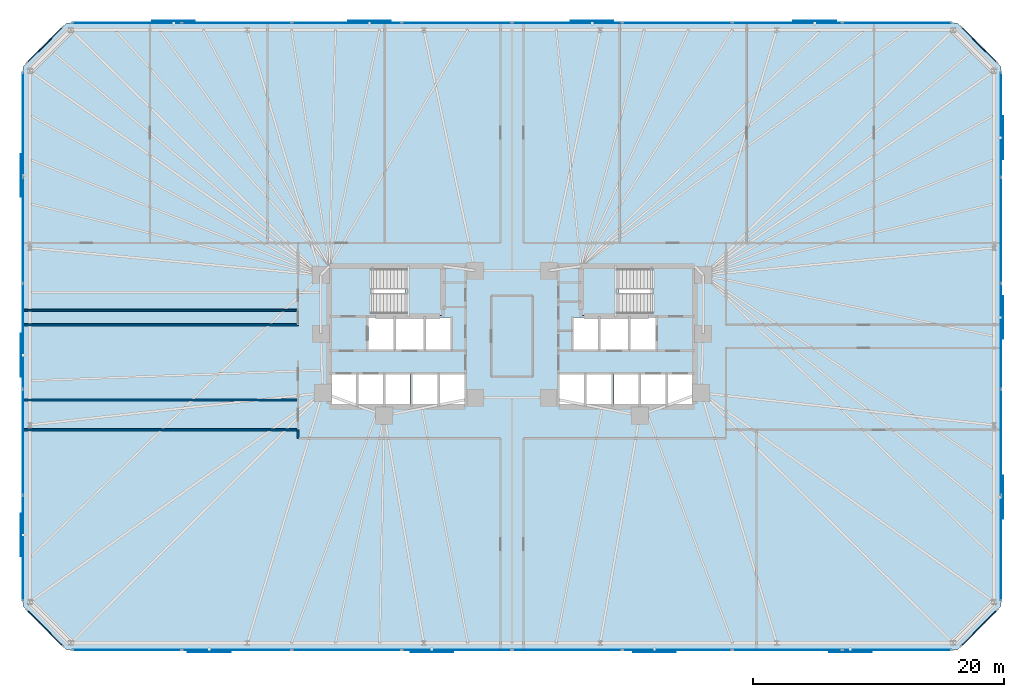
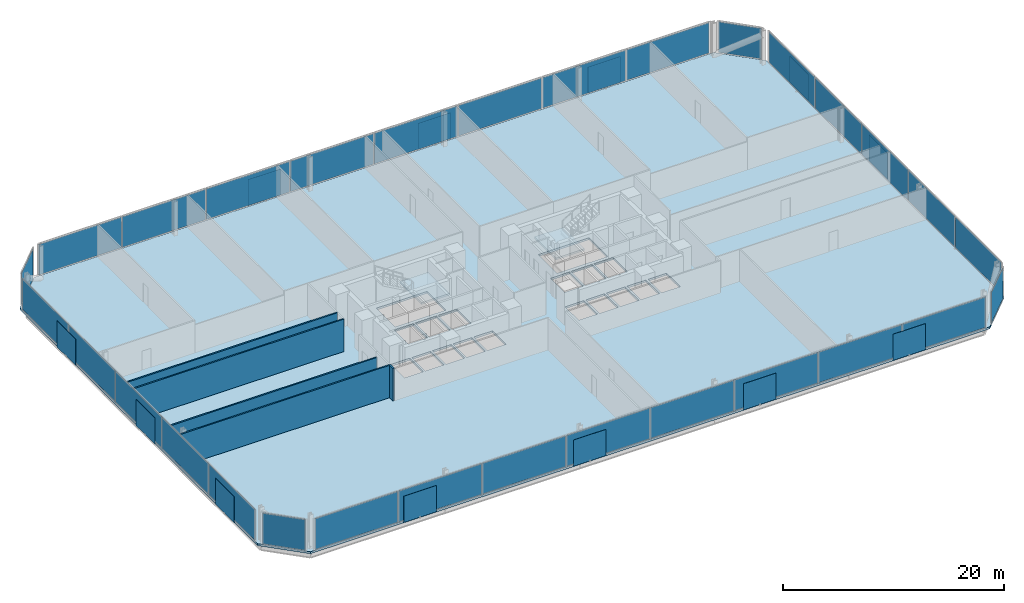
# One storey, part 11 of 16: 44 plates, 5 walls, 3 slabs, 10 elements without a shape of their own.
"""IFC4 building model written with IfcOpenShell, lengths in metres."""

import ifcopenshell
import ifcopenshell.guid

model = None  # the IFC model being written
_history = None  # IfcOwnerHistory: only IFC2X3 demands one
_inside = {}  # id of a spatial element -> (the spatial element, [elements in it])
_under = {}  # id of a project, library or spatial element -> (it, [spatial elements below it])
_declared = {}  # id of a project -> (the project, [libraries it declares])
_typed = {}  # id of a type object -> (the type object, [elements of that type])
_made_of = {}  # id of a material, layer set ... -> (it, [elements and type objects made of it])


def new_model(schema):
    """Start an empty IFC model of exactly this schema.

    Asked for "IFC4X3", IfcOpenShell would pick the latest addendum, in which some entities
    have other attributes; the version numbers below select the first issue.
    IFC2X3 requires an IfcOwnerHistory on every rooted entity: one is made here for all.
    """
    global model, _history
    if schema == "IFC4X3":
        model = ifcopenshell.file(schema_version=(4, 3, 0, 0))
    else:
        model = ifcopenshell.file(schema=schema)
    _inside.clear()
    _under.clear()
    _declared.clear()
    _typed.clear()
    _made_of.clear()
    _history = None
    if model.schema == "IFC2X3":
        org = make("IfcOrganization", Name="unknown")
        user = make(
            "IfcPersonAndOrganization",
            ThePerson=make("IfcPerson", FamilyName="unknown"),
            TheOrganization=org,
        )
        app = make(
            "IfcApplication",
            ApplicationDeveloper=org,
            Version="unknown",
            ApplicationFullName="unknown",
            ApplicationIdentifier="unknown",
        )
        _history = make(
            "IfcOwnerHistory",
            OwningUser=user,
            OwningApplication=app,
            ChangeAction="ADDED",
            CreationDate=0,
        )
    return model


def make(cls, **values):
    """One entity of the class cls with the attributes given. An attribute that is None is left unset."""
    return model.create_entity(
        cls, **{name: value for name, value in values.items() if value is not None}
    )


def rooted(cls, **values):
    """An entity with a GlobalId (a new one), such as an element, a storey or a relation."""
    return make(cls, GlobalId=ifcopenshell.guid.new(), OwnerHistory=_history, **values)


def si_unit(unit_type, name, prefix=None):
    """IfcSIUnit, for example si_unit("LENGTHUNIT", "METRE", prefix="MILLI")."""
    return make("IfcSIUnit", UnitType=unit_type, Prefix=prefix, Name=name)


def assignment(units):
    """IfcUnitAssignment: the units of a project."""
    return None if units is None else make("IfcUnitAssignment", Units=units)


def point(xyz):
    """IfcCartesianPoint."""
    return None if xyz is None else make("IfcCartesianPoint", Coordinates=xyz)


def direction(xyz):
    """IfcDirection."""
    return None if xyz is None else make("IfcDirection", DirectionRatios=xyz)


def frame(location, z_axis=None, x_axis=None):
    """IfcAxis2Placement3D, a coordinate frame: its origin and axes. An axis left out is left unset."""
    return make(
        "IfcAxis2Placement3D",
        Location=point(location),
        Axis=direction(z_axis),
        RefDirection=direction(x_axis),
    )


def frame_2d(location, x_axis=None):
    """IfcAxis2Placement2D, a coordinate frame in the plane: its origin and x axis."""
    return make(
        "IfcAxis2Placement2D", Location=point(location), RefDirection=direction(x_axis)
    )


def origin():
    """The frame at (0, 0, 0) with its axes left unset."""
    return frame((0.0, 0.0, 0.0))


def origin_2d():
    """The frame at (0, 0) in the plane with its x axis left unset."""
    return frame_2d((0.0, 0.0))


def place(relative_to, where):
    """IfcLocalPlacement: puts the frame where relative to a parent placement (None: the world)."""
    return make(
        "IfcLocalPlacement", PlacementRelTo=relative_to, RelativePlacement=where
    )


def context(
    kind, dimensions, precision=None, world=None, true_north=None, identifier=None
):
    """IfcGeometricRepresentationContext, for example the 3D "Model" context."""
    return make(
        "IfcGeometricRepresentationContext",
        ContextIdentifier=identifier,
        ContextType=kind,
        CoordinateSpaceDimension=dimensions,
        Precision=precision,
        WorldCoordinateSystem=world,
        TrueNorth=true_north,
    )


def subcontext(parent, identifier, kind, view, scale=None):
    """IfcGeometricRepresentationSubContext, for example "Body" below "Model"."""
    return make(
        "IfcGeometricRepresentationSubContext",
        ContextIdentifier=identifier,
        ContextType=kind,
        ParentContext=parent,
        TargetScale=scale,
        TargetView=view,
    )


def project(units=None, contexts=None):
    """IfcProject with its units and contexts."""
    return rooted(
        "IfcProject",
        Name="project",
        RepresentationContexts=contexts,
        UnitsInContext=assignment(units),
    )


def spatial(cls, under=None, at=None, **own):
    """A site, building, storey or space (cls), placed at a placement, below another one or the project."""
    s = rooted(cls, ObjectPlacement=at, **own)
    if under is not None:
        _under.setdefault(under.id(), (under, []))[1].append(s)
    return s


def polyline(points):
    """IfcPolyline through the points."""
    return make("IfcPolyline", Points=[point(p) for p in points])


def profile(cls, at=None, kind="AREA", **sizes):
    """A parametric profile (cls). Its sizes go by their IFC names, for example OverallWidth=200.0."""
    return make(cls, ProfileType=kind, Position=at, **sizes)


def rectangle(**sizes):
    """IfcRectangleProfileDef."""
    return profile("IfcRectangleProfileDef", **sizes)


def outline(outer, holes=None, kind="AREA"):
    """IfcArbitraryClosedProfileDef: a profile drawn as a closed curve; with holes, ...WithVoids."""
    if holes is None:
        return make("IfcArbitraryClosedProfileDef", ProfileType=kind, OuterCurve=outer)
    return make(
        "IfcArbitraryProfileDefWithVoids",
        ProfileType=kind,
        OuterCurve=outer,
        InnerCurves=holes,
    )


def extrude(swept, where, along, depth):
    """IfcExtrudedAreaSolid: the profile swept, set in the frame where, extruded along a direction by depth."""
    return make(
        "IfcExtrudedAreaSolid",
        SweptArea=swept,
        Position=where,
        ExtrudedDirection=direction(along),
        Depth=depth,
    )


def shape(context_of_items, identifier, shape_type, items):
    """IfcShapeRepresentation: the items that make up one representation, for example the "Body"."""
    return make(
        "IfcShapeRepresentation",
        ContextOfItems=context_of_items,
        RepresentationIdentifier=identifier,
        RepresentationType=shape_type,
        Items=items,
    )


def material(Name=None, Category=None):
    """IfcMaterial."""
    return make("IfcMaterial", Name=Name, Category=Category)


def layer(
    of_material, thickness, ventilated=None, Name=None, Category=None, Priority=None
):
    """IfcMaterialLayer: one layer of a wall or slab, of a material (None: an air gap)."""
    return make(
        "IfcMaterialLayer",
        Material=of_material,
        LayerThickness=thickness,
        IsVentilated=ventilated,
        Name=Name,
        Category=Category,
        Priority=Priority,
    )


def layer_set(layers, Name=None):
    """IfcMaterialLayerSet."""
    return make("IfcMaterialLayerSet", MaterialLayers=layers, LayerSetName=Name)


def made_of(thing, what):
    """Note that an element or type object is made of a material, layer set ...; save() writes the relation."""
    if what is not None:
        _made_of.setdefault(what.id(), (what, []))[1].append(thing)
    return thing


def type_object(cls, material=None, **own):
    """A type object (cls), such as IfcWallType, which elements share."""
    return made_of(rooted(cls, **own), material)


def element(
    cls,
    number,
    at=None,
    inside=None,
    cuts=None,
    type_object=None,
    material=None,
    context=None,
    identifier="Body",
    shape_type=None,
    held_by="IfcProductDefinitionShape",
    body=None,
    shapes=None,
    **own,
):
    """One element of the class cls, such as IfcWall. Its Tag is "e" and its number.

    at: its placement. inside: the storey or other place that contains it. cuts: it is an
    opening in that element (IfcRelVoidsElement). A single representation is given by context,
    identifier, shape_type and body (its items); several are given by shapes. held_by: the class
    of the entity that holds the representations. save() writes the other relations.
    """
    e = rooted(cls, Tag="e%d" % number, ObjectPlacement=at, **own)
    if body is not None:
        shapes = [shape(context, identifier, shape_type, body)]
    if shapes is not None:
        e.Representation = make(held_by, Representations=shapes)
    if inside is not None:
        _inside.setdefault(inside.id(), (inside, []))[1].append(e)
    if cuts is not None:
        rooted(
            "IfcRelVoidsElement", RelatingBuildingElement=cuts, RelatedOpeningElement=e
        )
    if type_object is not None:
        _typed.setdefault(type_object.id(), (type_object, []))[1].append(e)
    return made_of(e, material)


def aggregate(whole, parts):
    """IfcRelAggregates: a whole, such as a stair, and the parts it consists of."""
    return rooted("IfcRelAggregates", RelatingObject=whole, RelatedObjects=parts)


def save(model, path):
    """Write the relations noted so far, then the file.

    IfcRelAggregates (storeys below a building ...), IfcRelContainedInSpatialStructure (elements
    in a storey), IfcRelDefinesByType, IfcRelAssociatesMaterial and IfcRelDeclares: one each for
    every whole, place, type object, material and project.
    """
    for whole, parts in _under.values():
        aggregate(whole, parts)
    for where, things in _inside.values():
        rooted(
            "IfcRelContainedInSpatialStructure",
            RelatedElements=things,
            RelatingStructure=where,
        )
    for kind, things in _typed.values():
        rooted("IfcRelDefinesByType", RelatedObjects=things, RelatingType=kind)
    for what, things in _made_of.values():
        rooted("IfcRelAssociatesMaterial", RelatedObjects=things, RelatingMaterial=what)
    for by, libraries in _declared.values():
        rooted("IfcRelDeclares", RelatingContext=by, RelatedDefinitions=libraries)
    model.write(path)


model = new_model("IFC4")

# Units and contexts
model_context = context("Model", 3, precision=1e-05, world=origin(), true_north=direction((0.0, 1.0)))
body_context = subcontext(model_context, "Body", "Model", "MODEL_VIEW")
ifc_project = project(units=[si_unit("LENGTHUNIT", "METRE"), si_unit("AREAUNIT", "SQUARE_METRE"), si_unit("VOLUMEUNIT", "CUBIC_METRE"), si_unit("PLANEANGLEUNIT", "RADIAN"), si_unit("MASSUNIT", "GRAM", prefix="KILO")], contexts=[model_context])

# Site, building, storey
site_placement = place(None, origin())
site = spatial("IfcSite", under=ifc_project, at=site_placement, CompositionType="ELEMENT")
building_placement = place(site_placement, origin())
building = spatial("IfcBuilding", under=site, at=building_placement, Name="Menara Jurai Vektor", CompositionType="ELEMENT")
storey_placement = place(building_placement, frame((0.0, 0.0, 33.199951171875)))
storey = spatial("IfcBuildingStorey", under=building, at=storey_placement, Name="L07", CompositionType="ELEMENT", Elevation=33.199951171875)

# Curtain wall, plates
ifc_material_1 = material(Name="Anodised Pale Aluminium & Low-E Double Glazing", Category="aluminium")
curtain_wall_type = type_object("IfcCurtainWallType", Name="CW-BLK1", PredefinedType="NOTDEFINED", material=ifc_material_1)
curtain_wall_1_placement = place(storey_placement, origin())
curtain_wall_1 = element("IfcCurtainWall", 1, at=curtain_wall_1_placement, inside=storey, type_object=curtain_wall_type, Name="Unitised Curtain Wall L07 F01", PredefinedType="NOTDEFINED")
ifc_material_2 = material(Name="Low-E Solar-Control Double Glazed Unit", Category="glass")
ifc_layer_1 = layer(ifc_material_2, 0.035888671875)
ifc_layer_set_1 = layer_set([ifc_layer_1], Name="Low-E Solar-Control Double Glazed Unit")
plate_type_1 = type_object("IfcPlateType", Name="CW-BLK1-PNL", PredefinedType="CURTAIN_PANEL", material=ifc_layer_set_1)
plate_1_placement = place(storey_placement, frame((-30.706298828125, -25.0, 0.09521484375), z_axis=(0.0, 0.0, 1.0), x_axis=(1.0, 0.0, 0.0)))
plate_1 = element("IfcPlate", 2, at=plate_1_placement, type_object=plate_type_1, Name="CW-01 panel 1.1", PredefinedType="CURTAIN_PANEL", context=body_context, shape_type="SweptSolid", body=[
    extrude(rectangle(XDim=8.637451171875, YDim=0.035888671875, at=origin_2d()), origin(), (0.0, 0.0, 1.0), 3.385009765625),
])
plate_2_placement = place(storey_placement, frame((-21.949951171875, -25.0, 0.09521484375), z_axis=(0.0, 0.0, 1.0), x_axis=(1.0, 0.0, 0.0)))
plate_2 = element("IfcPlate", 3, at=plate_2_placement, type_object=plate_type_1, Name="CW-01 panel 2.1", PredefinedType="CURTAIN_PANEL", context=body_context, shape_type="SweptSolid", body=[
    extrude(rectangle(XDim=8.68505859375, YDim=0.035888671875, at=origin_2d()), origin(), (0.0, 0.0, 1.0), 3.385009765625),
])
plate_3_placement = place(storey_placement, frame((-13.169921875, -25.0, 0.09521484375), z_axis=(0.0, 0.0, 1.0), x_axis=(1.0, 0.0, 0.0)))
plate_3 = element("IfcPlate", 4, at=plate_3_placement, type_object=plate_type_1, Name="CW-01 panel 3.1", PredefinedType="CURTAIN_PANEL", context=body_context, shape_type="SweptSolid", body=[
    extrude(rectangle(XDim=8.68505859375, YDim=0.035888671875, at=origin_2d()), origin(), (0.0, 0.0, 1.0), 3.385009765625),
])
plate_4_placement = place(storey_placement, frame((-4.389892578125, -25.0, 0.09521484375), z_axis=(0.0, 0.0, 1.0), x_axis=(1.0, 0.0, 0.0)))
plate_4 = element("IfcPlate", 5, at=plate_4_placement, type_object=plate_type_1, Name="CW-01 panel 4.1", PredefinedType="CURTAIN_PANEL", context=body_context, shape_type="SweptSolid", body=[
    extrude(rectangle(XDim=8.68505859375, YDim=0.035888671875, at=origin_2d()), origin(), (0.0, 0.0, 1.0), 3.385009765625),
])
plate_5_placement = place(storey_placement, frame((4.389892578125, -25.0, 0.09521484375), z_axis=(0.0, 0.0, 1.0), x_axis=(1.0, 0.0, 0.0)))
plate_5 = element("IfcPlate", 6, at=plate_5_placement, type_object=plate_type_1, Name="CW-01 panel 5.1", PredefinedType="CURTAIN_PANEL", context=body_context, shape_type="SweptSolid", body=[
    extrude(rectangle(XDim=8.68505859375, YDim=0.035888671875, at=origin_2d()), origin(), (0.0, 0.0, 1.0), 3.385009765625),
])
plate_6_placement = place(storey_placement, frame((13.169921875, -25.0, 0.09521484375), z_axis=(0.0, 0.0, 1.0), x_axis=(1.0, 0.0, 0.0)))
plate_6 = element("IfcPlate", 7, at=plate_6_placement, type_object=plate_type_1, Name="CW-01 panel 6.1", PredefinedType="CURTAIN_PANEL", context=body_context, shape_type="SweptSolid", body=[
    extrude(rectangle(XDim=8.68505859375, YDim=0.035888671875, at=origin_2d()), origin(), (0.0, 0.0, 1.0), 3.385009765625),
])
plate_7_placement = place(storey_placement, frame((21.949951171875, -25.0, 0.09521484375), z_axis=(0.0, 0.0, 1.0), x_axis=(1.0, 0.0, 0.0)))
plate_7 = element("IfcPlate", 8, at=plate_7_placement, type_object=plate_type_1, Name="CW-01 panel 7.1", PredefinedType="CURTAIN_PANEL", context=body_context, shape_type="SweptSolid", body=[
    extrude(rectangle(XDim=8.68505859375, YDim=0.035888671875, at=origin_2d()), origin(), (0.0, 0.0, 1.0), 3.385009765625),
])
plate_8_placement = place(storey_placement, frame((30.706298828125, -25.0, 0.09521484375), z_axis=(0.0, 0.0, 1.0), x_axis=(1.0, 0.0, 0.0)))
plate_8 = element("IfcPlate", 9, at=plate_8_placement, type_object=plate_type_1, Name="CW-01 panel 8.1", PredefinedType="CURTAIN_PANEL", context=body_context, shape_type="SweptSolid", body=[
    extrude(rectangle(XDim=8.637451171875, YDim=0.035888671875, at=origin_2d()), origin(), (0.0, 0.0, 1.0), 3.385009765625),
])
aggregate(curtain_wall_1, [plate_1, plate_2, plate_3, plate_4, plate_5, plate_6, plate_7, plate_8])

curtain_wall_2_placement = place(storey_placement, origin())
curtain_wall_2 = element("IfcCurtainWall", 10, at=curtain_wall_2_placement, inside=storey, type_object=curtain_wall_type, Name="Unitised Curtain Wall L07 F03", PredefinedType="NOTDEFINED")
plate_9_placement = place(storey_placement, frame((39.0, -16.872314453125, 0.09521484375), z_axis=(0.0, 0.0, 1.0), x_axis=(0.0, 1.0, 0.0)))
plate_9 = element("IfcPlate", 11, at=plate_9_placement, type_object=plate_type_1, Name="CW-01 panel 1.1", PredefinedType="CURTAIN_PANEL", context=body_context, shape_type="SweptSolid", body=[
    extrude(rectangle(XDim=8.305419921875, YDim=0.035888671875, at=origin_2d()), origin(), (0.0, 0.0, 1.0), 3.385009765625),
])
plate_10_placement = place(storey_placement, frame((39.0, -8.447998046875, 0.09521484375), z_axis=(0.0, 0.0, 1.0), x_axis=(0.0, 1.0, 0.0)))
plate_10 = element("IfcPlate", 12, at=plate_10_placement, type_object=plate_type_1, Name="CW-01 panel 2.1", PredefinedType="CURTAIN_PANEL", context=body_context, shape_type="SweptSolid", body=[
    extrude(rectangle(XDim=8.35302734375, YDim=0.035888671875, at=origin_2d()), origin(), (0.0, 0.0, 1.0), 3.385009765625),
])
plate_11_placement = place(storey_placement, frame((39.0, 0.0, 0.09521484375), z_axis=(0.0, 0.0, 1.0), x_axis=(0.0, 1.0, 0.0)))
plate_11 = element("IfcPlate", 13, at=plate_11_placement, type_object=plate_type_1, Name="CW-01 panel 3.1", PredefinedType="CURTAIN_PANEL", context=body_context, shape_type="SweptSolid", body=[
    extrude(rectangle(XDim=8.35302734375, YDim=0.035888671875, at=origin_2d()), origin(), (0.0, 0.0, 1.0), 3.385009765625),
])
plate_12_placement = place(storey_placement, frame((39.0, 8.447998046875, 0.09521484375), z_axis=(0.0, 0.0, 1.0), x_axis=(0.0, 1.0, 0.0)))
plate_12 = element("IfcPlate", 14, at=plate_12_placement, type_object=plate_type_1, Name="CW-01 panel 4.1", PredefinedType="CURTAIN_PANEL", context=body_context, shape_type="SweptSolid", body=[
    extrude(rectangle(XDim=8.35302734375, YDim=0.035888671875, at=origin_2d()), origin(), (0.0, 0.0, 1.0), 3.385009765625),
])
plate_13_placement = place(storey_placement, frame((39.0, 16.872314453125, 0.09521484375), z_axis=(0.0, 0.0, 1.0), x_axis=(0.0, 1.0, 0.0)))
plate_13 = element("IfcPlate", 15, at=plate_13_placement, type_object=plate_type_1, Name="CW-01 panel 5.1", PredefinedType="CURTAIN_PANEL", context=body_context, shape_type="SweptSolid", body=[
    extrude(rectangle(XDim=8.305419921875, YDim=0.035888671875, at=origin_2d()), origin(), (0.0, 0.0, 1.0), 3.385009765625),
])
aggregate(curtain_wall_2, [plate_9, plate_10, plate_11, plate_12, plate_13])

curtain_wall_3_placement = place(storey_placement, origin())
curtain_wall_3 = element("IfcCurtainWall", 16, at=curtain_wall_3_placement, inside=storey, type_object=curtain_wall_type, Name="Unitised Curtain Wall L07 F05", PredefinedType="NOTDEFINED")
plate_14_placement = place(storey_placement, frame((30.706298828125, 25.0, 0.09521484375), z_axis=(0.0, 0.0, 1.0), x_axis=(-1.0, 0.0, 0.0)))
plate_14 = element("IfcPlate", 17, at=plate_14_placement, type_object=plate_type_1, Name="CW-01 panel 1.1", PredefinedType="CURTAIN_PANEL", context=body_context, shape_type="SweptSolid", body=[
    extrude(rectangle(XDim=8.637451171875, YDim=0.035888671875, at=origin_2d()), origin(), (0.0, 0.0, 1.0), 3.385009765625),
])
plate_15_placement = place(storey_placement, frame((21.949951171875, 25.0, 0.09521484375), z_axis=(0.0, 0.0, 1.0), x_axis=(-1.0, 0.0, 0.0)))
plate_15 = element("IfcPlate", 18, at=plate_15_placement, type_object=plate_type_1, Name="CW-01 panel 2.1", PredefinedType="CURTAIN_PANEL", context=body_context, shape_type="SweptSolid", body=[
    extrude(rectangle(XDim=8.68505859375, YDim=0.035888671875, at=origin_2d()), origin(), (0.0, 0.0, 1.0), 3.385009765625),
])
plate_16_placement = place(storey_placement, frame((13.169921875, 25.0, 0.09521484375), z_axis=(0.0, 0.0, 1.0), x_axis=(-1.0, 0.0, 0.0)))
plate_16 = element("IfcPlate", 19, at=plate_16_placement, type_object=plate_type_1, Name="CW-01 panel 3.1", PredefinedType="CURTAIN_PANEL", context=body_context, shape_type="SweptSolid", body=[
    extrude(rectangle(XDim=8.68505859375, YDim=0.035888671875, at=origin_2d()), origin(), (0.0, 0.0, 1.0), 3.385009765625),
])
plate_17_placement = place(storey_placement, frame((4.389892578125, 25.0, 0.09521484375), z_axis=(0.0, 0.0, 1.0), x_axis=(-1.0, 0.0, 0.0)))
plate_17 = element("IfcPlate", 20, at=plate_17_placement, type_object=plate_type_1, Name="CW-01 panel 4.1", PredefinedType="CURTAIN_PANEL", context=body_context, shape_type="SweptSolid", body=[
    extrude(rectangle(XDim=8.68505859375, YDim=0.035888671875, at=origin_2d()), origin(), (0.0, 0.0, 1.0), 3.385009765625),
])
plate_18_placement = place(storey_placement, frame((-4.389892578125, 25.0, 0.09521484375), z_axis=(0.0, 0.0, 1.0), x_axis=(-1.0, 0.0, 0.0)))
plate_18 = element("IfcPlate", 21, at=plate_18_placement, type_object=plate_type_1, Name="CW-01 panel 5.1", PredefinedType="CURTAIN_PANEL", context=body_context, shape_type="SweptSolid", body=[
    extrude(rectangle(XDim=8.68505859375, YDim=0.035888671875, at=origin_2d()), origin(), (0.0, 0.0, 1.0), 3.385009765625),
])
plate_19_placement = place(storey_placement, frame((-13.169921875, 25.0, 0.09521484375), z_axis=(0.0, 0.0, 1.0), x_axis=(-1.0, 0.0, 0.0)))
plate_19 = element("IfcPlate", 22, at=plate_19_placement, type_object=plate_type_1, Name="CW-01 panel 6.1", PredefinedType="CURTAIN_PANEL", context=body_context, shape_type="SweptSolid", body=[
    extrude(rectangle(XDim=8.68505859375, YDim=0.035888671875, at=origin_2d()), origin(), (0.0, 0.0, 1.0), 3.385009765625),
])
plate_20_placement = place(storey_placement, frame((-21.949951171875, 25.0, 0.09521484375), z_axis=(0.0, 0.0, 1.0), x_axis=(-1.0, 0.0, 0.0)))
plate_20 = element("IfcPlate", 23, at=plate_20_placement, type_object=plate_type_1, Name="CW-01 panel 7.1", PredefinedType="CURTAIN_PANEL", context=body_context, shape_type="SweptSolid", body=[
    extrude(rectangle(XDim=8.68505859375, YDim=0.035888671875, at=origin_2d()), origin(), (0.0, 0.0, 1.0), 3.385009765625),
])
plate_21_placement = place(storey_placement, frame((-30.706298828125, 25.0, 0.09521484375), z_axis=(0.0, 0.0, 1.0), x_axis=(-1.0, 0.0, 0.0)))
plate_21 = element("IfcPlate", 24, at=plate_21_placement, type_object=plate_type_1, Name="CW-01 panel 8.1", PredefinedType="CURTAIN_PANEL", context=body_context, shape_type="SweptSolid", body=[
    extrude(rectangle(XDim=8.637451171875, YDim=0.035888671875, at=origin_2d()), origin(), (0.0, 0.0, 1.0), 3.385009765625),
])
aggregate(curtain_wall_3, [plate_14, plate_15, plate_16, plate_17, plate_18, plate_19, plate_20, plate_21])

curtain_wall_4_placement = place(storey_placement, origin())
curtain_wall_4 = element("IfcCurtainWall", 25, at=curtain_wall_4_placement, inside=storey, type_object=curtain_wall_type, Name="Unitised Curtain Wall L07 F07", PredefinedType="NOTDEFINED")
plate_22_placement = place(storey_placement, frame((-39.0, 16.872314453125, 0.09521484375), z_axis=(0.0, 0.0, 1.0), x_axis=(0.0, -1.0, 0.0)))
plate_22 = element("IfcPlate", 26, at=plate_22_placement, type_object=plate_type_1, Name="CW-01 panel 1.1", PredefinedType="CURTAIN_PANEL", context=body_context, shape_type="SweptSolid", body=[
    extrude(rectangle(XDim=8.305419921875, YDim=0.035888671875, at=origin_2d()), origin(), (0.0, 0.0, 1.0), 3.385009765625),
])
plate_23_placement = place(storey_placement, frame((-39.0, 8.447998046875, 0.09521484375), z_axis=(0.0, 0.0, 1.0), x_axis=(0.0, -1.0, 0.0)))
plate_23 = element("IfcPlate", 27, at=plate_23_placement, type_object=plate_type_1, Name="CW-01 panel 2.1", PredefinedType="CURTAIN_PANEL", context=body_context, shape_type="SweptSolid", body=[
    extrude(rectangle(XDim=8.35302734375, YDim=0.035888671875, at=origin_2d()), origin(), (0.0, 0.0, 1.0), 3.385009765625),
])
plate_24_placement = place(storey_placement, frame((-39.0, 0.0, 0.09521484375), z_axis=(0.0, 0.0, 1.0), x_axis=(0.0, -1.0, 0.0)))
plate_24 = element("IfcPlate", 28, at=plate_24_placement, type_object=plate_type_1, Name="CW-01 panel 3.1", PredefinedType="CURTAIN_PANEL", context=body_context, shape_type="SweptSolid", body=[
    extrude(rectangle(XDim=8.35302734375, YDim=0.035888671875, at=origin_2d()), origin(), (0.0, 0.0, 1.0), 3.385009765625),
])
plate_25_placement = place(storey_placement, frame((-39.0, -8.447998046875, 0.09521484375), z_axis=(0.0, 0.0, 1.0), x_axis=(0.0, -1.0, 0.0)))
plate_25 = element("IfcPlate", 29, at=plate_25_placement, type_object=plate_type_1, Name="CW-01 panel 4.1", PredefinedType="CURTAIN_PANEL", context=body_context, shape_type="SweptSolid", body=[
    extrude(rectangle(XDim=8.35302734375, YDim=0.035888671875, at=origin_2d()), origin(), (0.0, 0.0, 1.0), 3.385009765625),
])
plate_26_placement = place(storey_placement, frame((-39.0, -16.872314453125, 0.09521484375), z_axis=(0.0, 0.0, 1.0), x_axis=(0.0, -1.0, 0.0)))
plate_26 = element("IfcPlate", 30, at=plate_26_placement, type_object=plate_type_1, Name="CW-01 panel 5.1", PredefinedType="CURTAIN_PANEL", context=body_context, shape_type="SweptSolid", body=[
    extrude(rectangle(XDim=8.305419921875, YDim=0.035888671875, at=origin_2d()), origin(), (0.0, 0.0, 1.0), 3.385009765625),
])
aggregate(curtain_wall_4, [plate_22, plate_23, plate_24, plate_25, plate_26])

# Curtain wall, plate
curtain_wall_5_placement = place(storey_placement, origin())
curtain_wall_5 = element("IfcCurtainWall", 31, at=curtain_wall_5_placement, inside=storey, type_object=curtain_wall_type, Name="Unitised Curtain Wall L07 F02", PredefinedType="NOTDEFINED")
ifc_material_3 = material(Name="Insulated Pale Aluminium Spandrel Panel", Category="aluminium")
ifc_layer_2 = layer(ifc_material_3, 0.06005859375)
ifc_layer_set_2 = layer_set([ifc_layer_2], Name="Insulated Pale Aluminium Spandrel Panel")
plate_type_2 = type_object("IfcPlateType", Name="CW-PNL-SP", PredefinedType="CURTAIN_PANEL", material=ifc_layer_set_2)
plate_27_placement = place(storey_placement, frame((37.25, -23.25, 0.09521484375), z_axis=(0.0, 0.0, 1.0), x_axis=(0.707106781187, 0.707106781187, 0.0)))
plate_27 = element("IfcPlate", 32, at=plate_27_placement, type_object=plate_type_2, Name="CW-01 panel 1.1", PredefinedType="CURTAIN_PANEL", context=body_context, shape_type="SweptSolid", body=[
    extrude(rectangle(XDim=3.999755859375, YDim=0.06005859375, at=origin_2d()), origin(), (0.0, 0.0, 1.0), 3.385009765625),
])
aggregate(curtain_wall_5, [plate_27])

curtain_wall_6_placement = place(storey_placement, origin())
curtain_wall_6 = element("IfcCurtainWall", 33, at=curtain_wall_6_placement, inside=storey, type_object=curtain_wall_type, Name="Unitised Curtain Wall L07 F04", PredefinedType="NOTDEFINED")
plate_28_placement = place(storey_placement, frame((37.25, 23.25, 0.09521484375), z_axis=(0.0, 0.0, 1.0), x_axis=(-0.707106781187, 0.707106781187, 0.0)))
plate_28 = element("IfcPlate", 34, at=plate_28_placement, type_object=plate_type_2, Name="CW-01 panel 1.1", PredefinedType="CURTAIN_PANEL", context=body_context, shape_type="SweptSolid", body=[
    extrude(rectangle(XDim=3.999755859375, YDim=0.06005859375, at=origin_2d()), origin(), (0.0, 0.0, 1.0), 3.385009765625),
])
aggregate(curtain_wall_6, [plate_28])

curtain_wall_7_placement = place(storey_placement, origin())
curtain_wall_7 = element("IfcCurtainWall", 35, at=curtain_wall_7_placement, inside=storey, type_object=curtain_wall_type, Name="Unitised Curtain Wall L07 F06", PredefinedType="NOTDEFINED")
plate_29_placement = place(storey_placement, frame((-37.25, 23.25, 0.09521484375), z_axis=(0.0, 0.0, 1.0), x_axis=(-0.707106781187, -0.707106781187, 0.0)))
plate_29 = element("IfcPlate", 36, at=plate_29_placement, type_object=plate_type_2, Name="CW-01 panel 1.1", PredefinedType="CURTAIN_PANEL", context=body_context, shape_type="SweptSolid", body=[
    extrude(rectangle(XDim=3.999755859375, YDim=0.06005859375, at=origin_2d()), origin(), (0.0, 0.0, 1.0), 3.385009765625),
])
aggregate(curtain_wall_7, [plate_29])

curtain_wall_8_placement = place(storey_placement, origin())
curtain_wall_8 = element("IfcCurtainWall", 37, at=curtain_wall_8_placement, inside=storey, type_object=curtain_wall_type, Name="Unitised Curtain Wall L07 F08", PredefinedType="NOTDEFINED")
plate_30_placement = place(storey_placement, frame((-37.25, -23.25, 0.09521484375), z_axis=(0.0, 0.0, 1.0), x_axis=(0.707106781187, -0.707106781187, 0.0)))
plate_30 = element("IfcPlate", 38, at=plate_30_placement, type_object=plate_type_2, Name="CW-01 panel 1.1", PredefinedType="CURTAIN_PANEL", context=body_context, shape_type="SweptSolid", body=[
    extrude(rectangle(XDim=3.999755859375, YDim=0.06005859375, at=origin_2d()), origin(), (0.0, 0.0, 1.0), 3.385009765625),
])
aggregate(curtain_wall_8, [plate_30])

# Plates
ifc_material_4 = material(Name="Anodised Pale Aluminium Perforated Screen", Category="aluminium")
ifc_layer_3 = layer(ifc_material_4, 0.02392578125)
ifc_layer_set_3 = layer_set([ifc_layer_3], Name="Anodised Pale Aluminium Perforated Screen")
plate_type_3 = type_object("IfcPlateType", Name="ENV-PLT-SCREEN", PredefinedType="USERDEFINED", material=ifc_layer_set_3)
for number, where, z_axis, x_axis, name in (
    (39, (-24.139892578125, -25.159912109375, -0.0498046875), (0.0, 0.0, 1.0), (1.0, 0.0, 0.0), "Perforated Pale-Metal Solar Screen L07-S01"),
    (40, (-6.389892578125, -25.159912109375, -0.0498046875), (0.0, 0.0, 1.0), (1.0, 0.0, 0.0), "Perforated Pale-Metal Solar Screen L07-S02"),
    (41, (11.360107421875, -25.159912109375, -0.0498046875), (0.0, 0.0, 1.0), (1.0, 0.0, 0.0), "Perforated Pale-Metal Solar Screen L07-S03"),
    (42, (26.97998046875, -25.159912109375, -0.0498046875), (0.0, 0.0, 1.0), (1.0, 0.0, 0.0), "Perforated Pale-Metal Solar Screen L07-S04"),
    (43, (39.159912109375, -12.828369140625, -0.0498046875), (0.0, 0.0, 1.0), (0.0, 1.0, 0.0), "Perforated Pale-Metal Solar Screen L07-S05"),
    (44, (39.159912109375, 1.5048828125, -0.0498046875), (0.0, 0.0, 1.0), (0.0, 1.0, 0.0), "Perforated Pale-Metal Solar Screen L07-S06"),
    (45, (39.159912109375, 15.83837890625, -0.0498046875), (0.0, 0.0, 1.0), (0.0, 1.0, 0.0), "Perforated Pale-Metal Solar Screen L07-S07"),
    (46, (24.139892578125, 25.159912109375, -0.0498046875), (0.0, 0.0, 1.0), (-1.0, 0.0, 0.0), "Perforated Pale-Metal Solar Screen L07-S08"),
    (47, (6.389892578125, 25.159912109375, -0.0498046875), (0.0, 0.0, 1.0), (-1.0, 0.0, 0.0), "Perforated Pale-Metal Solar Screen L07-S09"),
    (48, (-11.360107421875, 25.159912109375, -0.0498046875), (0.0, 0.0, 1.0), (-1.0, 0.0, 0.0), "Perforated Pale-Metal Solar Screen L07-S10"),
    (49, (-26.97998046875, 25.159912109375, -0.0498046875), (0.0, 0.0, 1.0), (-1.0, 0.0, 0.0), "Perforated Pale-Metal Solar Screen L07-S11"),
    (50, (-39.159912109375, 12.828369140625, -0.0498046875), (0.0, 0.0, 1.0), (0.0, -1.0, 0.0), "Perforated Pale-Metal Solar Screen L07-S12"),
    (51, (-39.159912109375, -1.5048828125, -0.0498046875), (0.0, 0.0, 1.0), (0.0, -1.0, 0.0), "Perforated Pale-Metal Solar Screen L07-S13"),
    (52, (-39.159912109375, -15.83837890625, -0.0498046875), (0.0, 0.0, 1.0), (0.0, -1.0, 0.0), "Perforated Pale-Metal Solar Screen L07-S14"),
):
    element("IfcPlate", number, at=place(storey_placement, frame(where, z_axis=z_axis, x_axis=x_axis)), inside=storey, type_object=plate_type_3, Name=name, ObjectType="SCREEN", PredefinedType="USERDEFINED", context=body_context, shape_type="SweptSolid", body=[
        extrude(rectangle(XDim=3.39990234375, YDim=0.02392578125, at=origin_2d()), origin(), (0.0, 0.0, 1.0), 2.89990234375),
    ])

# Stair, slab
ifc_material_5 = material(Name="Concrete C40/50", Category="concrete")
stair_type = type_object("IfcStairType", Name="STAIR-DOGLEG-1500", PredefinedType="HALF_TURN_STAIR", material=ifc_material_5)
stair_1_placement = place(storey_placement, origin())
stair_1 = element("IfcStair", 53, at=stair_1_placement, inside=storey, type_object=stair_type, Name="Protected Exit Stair ST1 L07", PredefinedType="HALF_TURN_STAIR")
ifc_layer_4 = layer(ifc_material_5, 0.199951171875)
ifc_layer_set_4 = layer_set([ifc_layer_4], Name="Concrete C40/50")
slab_type_1 = type_object("IfcSlabType", Name="STAIR-LANDING-200", PredefinedType="LANDING", material=ifc_layer_set_4)
slab_1_placement = place(storey_placement, frame((0.0, 0.0, 1.699951171875)))
slab_1 = element("IfcSlab", 54, at=slab_1_placement, type_object=slab_type_1, Name="ST1 landing 1", PredefinedType="LANDING", context=body_context, shape_type="SweptSolid", body=[
    extrude(outline(polyline([(-8.52001953125, 1.64990234375), (-5.550048828125, 1.64990234375), (-5.550048828125, 5.550048828125), (-8.52001953125, 5.550048828125), (-8.52001953125, 1.64990234375)])), origin(), (0.0, 0.0, 1.0), 0.2001953125),
])
aggregate(stair_1, [slab_1])

stair_2_placement = place(storey_placement, origin())
stair_2 = element("IfcStair", 55, at=stair_2_placement, inside=storey, type_object=stair_type, Name="Protected Exit Stair ST2 L07", PredefinedType="HALF_TURN_STAIR")
slab_2_placement = place(storey_placement, frame((0.0, 0.0, 1.699951171875)))
slab_2 = element("IfcSlab", 56, at=slab_2_placement, type_object=slab_type_1, Name="ST2 landing 1", PredefinedType="LANDING", context=body_context, shape_type="SweptSolid", body=[
    extrude(outline(polyline([(5.550048828125, 1.64990234375), (8.52001953125, 1.64990234375), (8.52001953125, 5.550048828125), (5.550048828125, 5.550048828125), (5.550048828125, 1.64990234375)])), origin(), (0.0, 0.0, 1.0), 0.2001953125),
])
aggregate(stair_2, [slab_2])

# Slab
ifc_layer_5 = layer(ifc_material_5, 0.22509765625)
ifc_layer_set_5 = layer_set([ifc_layer_5], Name="Concrete C40/50")
slab_type_2 = type_object("IfcSlabType", Name="STR-SLAB-TYP200", PredefinedType="FLOOR", material=ifc_layer_set_5)
slab_3_placement = place(storey_placement, frame((0.0, 0.0, -0.224853515625)))
element("IfcSlab", 57, at=slab_3_placement, inside=storey, type_object=slab_type_2, Name="Composite Floor Slab L07", PredefinedType="FLOOR", context=body_context, shape_type="SweptSolid", body=[
    extrude(outline(polyline([(-35.5, -25.0), (35.5, -25.0), (39.0, -21.5), (39.0, 21.5), (35.5, 25.0), (-35.5, 25.0), (-39.0, 21.5), (-39.0, -21.5), (-35.5, -25.0)]), holes=[polyline([(-11.10009765625, 1.89990234375), (-11.10009765625, 5.300048828125), (-5.800048828125, 5.300048828125), (-5.800048828125, 1.89990234375), (-11.10009765625, 1.89990234375)]), polyline([(5.800048828125, 1.89990234375), (5.800048828125, 5.300048828125), (11.10009765625, 5.300048828125), (11.10009765625, 1.89990234375), (5.800048828125, 1.89990234375)]), polyline([(-11.449951171875, -1.050048828125), (-11.449951171875, 1.5), (-9.449951171875, 1.5), (-9.449951171875, -1.050048828125), (-11.449951171875, -1.050048828125)]), polyline([(9.449951171875, -1.050048828125), (9.449951171875, 1.5), (11.449951171875, 1.5), (11.449951171875, -1.050048828125), (9.449951171875, -1.050048828125)]), polyline([(-5.760009765625, -5.5), (-5.760009765625, -3.050048828125), (-3.800048828125, -3.050048828125), (-3.800048828125, -5.5), (-5.760009765625, -5.5)]), polyline([(-6.85009765625, -1.050048828125), (-6.85009765625, 1.5), (-4.889892578125, 1.5), (-4.889892578125, -1.050048828125), (-6.85009765625, -1.050048828125)]), polyline([(3.800048828125, -5.5), (3.800048828125, -3.050048828125), (5.760009765625, -3.050048828125), (5.760009765625, -5.5), (3.800048828125, -5.5)]), polyline([(4.889892578125, -1.050048828125), (4.889892578125, 1.5), (6.85009765625, 1.5), (6.85009765625, -1.050048828125), (4.889892578125, -1.050048828125)]), polyline([(-14.39990234375, -5.5), (-14.39990234375, -3.050048828125), (-12.43994140625, -3.050048828125), (-12.43994140625, -5.5), (-14.39990234375, -5.5)]), polyline([(-12.239990234375, -5.5), (-12.239990234375, -3.050048828125), (-10.280029296875, -3.050048828125), (-10.280029296875, -5.5), (-12.239990234375, -5.5)]), polyline([(10.280029296875, -5.5), (10.280029296875, -3.050048828125), (12.239990234375, -3.050048828125), (12.239990234375, -5.5), (10.280029296875, -5.5)]), polyline([(12.43994140625, -5.5), (12.43994140625, -3.050048828125), (14.39990234375, -3.050048828125), (14.39990234375, -5.5), (12.43994140625, -5.5)]), polyline([(-10.080078125, -5.5), (-10.080078125, -3.050048828125), (-8.1201171875, -3.050048828125), (-8.1201171875, -5.5), (-10.080078125, -5.5)]), polyline([(-7.919921875, -5.5), (-7.919921875, -3.050048828125), (-5.9599609375, -3.050048828125), (-5.9599609375, -5.5), (-7.919921875, -5.5)]), polyline([(5.9599609375, -5.5), (5.9599609375, -3.050048828125), (7.919921875, -3.050048828125), (7.919921875, -5.5), (5.9599609375, -5.5)]), polyline([(8.1201171875, -5.5), (8.1201171875, -3.050048828125), (10.080078125, -3.050048828125), (10.080078125, -5.5), (8.1201171875, -5.5)]), polyline([(-9.25, -1.050048828125), (-9.25, 1.5), (-7.050048828125, 1.5), (-7.050048828125, -1.050048828125), (-9.25, -1.050048828125)]), polyline([(7.050048828125, -1.050048828125), (7.050048828125, 1.5), (9.25, 1.5), (9.25, -1.050048828125), (7.050048828125, -1.050048828125)])]), origin(), (0.0, 0.0, 1.0), 0.224853515625),
])

# Walls
ifc_material_6 = material(Name="Gypsum Fireboard Partition", Category="gypsum")
ifc_layer_6 = layer(ifc_material_6, 0.14990234375)
ifc_layer_set_6 = layer_set([ifc_layer_6], Name="Gypsum Fireboard Partition")
wall_type_1 = type_object("IfcWallType", Name="INT-WALL-CORR-150", PredefinedType="PARTITIONING", material=ifc_layer_set_6)
wall_1_placement = place(storey_placement, frame((-17.05908203125, -8.1298828125, 0.0), z_axis=(0.0, 0.0, 1.0), x_axis=(0.0, 1.0, 0.0)))
element("IfcWall", 58, at=wall_1_placement, inside=storey, type_object=wall_type_1, Name="Interior Wall IW-150 L07", PredefinedType="PARTITIONING", context=body_context, shape_type="SweptSolid", body=[
    extrude(rectangle(XDim=0.679931640625, YDim=0.14990234375, at=frame_2d((0.33984375, 0.0))), origin(), (0.0, 0.0, 1.0), 3.574951171875),
])
for number, where, z_axis, x_axis, name in (
    (59, (-39.0, 0.919921875, 0.0), (0.0, 0.0, 1.0), (1.0, 0.0, 0.0), "Interior Wall IW-150 L07"),
    (60, (-39.0, -7.449951171875, 0.0), (0.0, 0.0, 1.0), (1.0, 0.0, 0.0), "Interior Wall IW-150 L07"),
    (61, (-39.0, 2.0859375, 0.0), (0.0, 0.0, 1.0), (1.0, 0.0, 0.0), "Interior Wall IW-150 L07"),
):
    element("IfcWall", number, at=place(storey_placement, frame(where, z_axis=z_axis, x_axis=x_axis)), inside=storey, type_object=wall_type_1, Name=name, PredefinedType="PARTITIONING", context=body_context, shape_type="SweptSolid", body=[
        extrude(rectangle(XDim=21.94091796875, YDim=0.14990234375, at=frame_2d((10.970458984375, 0.0))), origin(), (0.0, 0.0, 1.0), 3.574951171875),
    ])
ifc_layer_7 = layer(ifc_material_6, 0.14990234375)
ifc_layer_set_7 = layer_set([ifc_layer_7], Name="Gypsum Fireboard Partition")
wall_type_2 = type_object("IfcWallType", Name="INT-WALL-CORR-150-H2", PredefinedType="PARTITIONING", material=ifc_layer_set_7)
wall_2_placement = place(storey_placement, frame((-39.0, -5.06591796875, 0.0), z_axis=(0.0, 0.0, 1.0), x_axis=(1.0, 0.0, 0.0)))
element("IfcWall", 62, at=wall_2_placement, inside=storey, type_object=wall_type_2, Name="Interior Wall IW-150 L07", PredefinedType="PARTITIONING", context=body_context, shape_type="SweptSolid", body=[
    extrude(rectangle(XDim=21.94091796875, YDim=0.14990234375, at=frame_2d((10.970458984375, 0.0))), origin(), (0.0, 0.0, 1.0), 2.97509765625),
])

save(model, "model.ifc")
